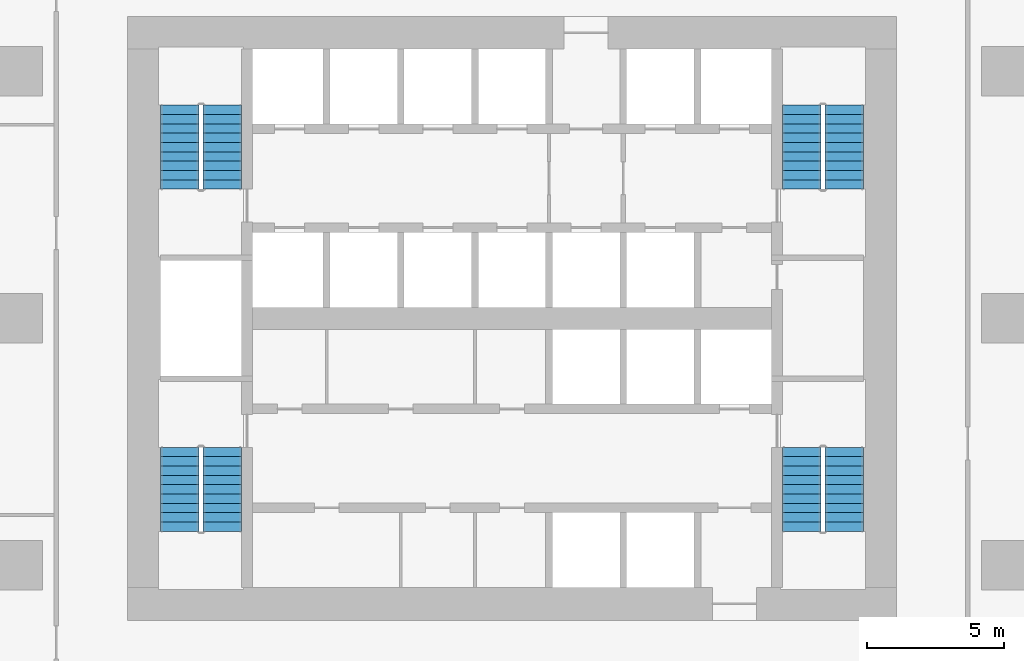
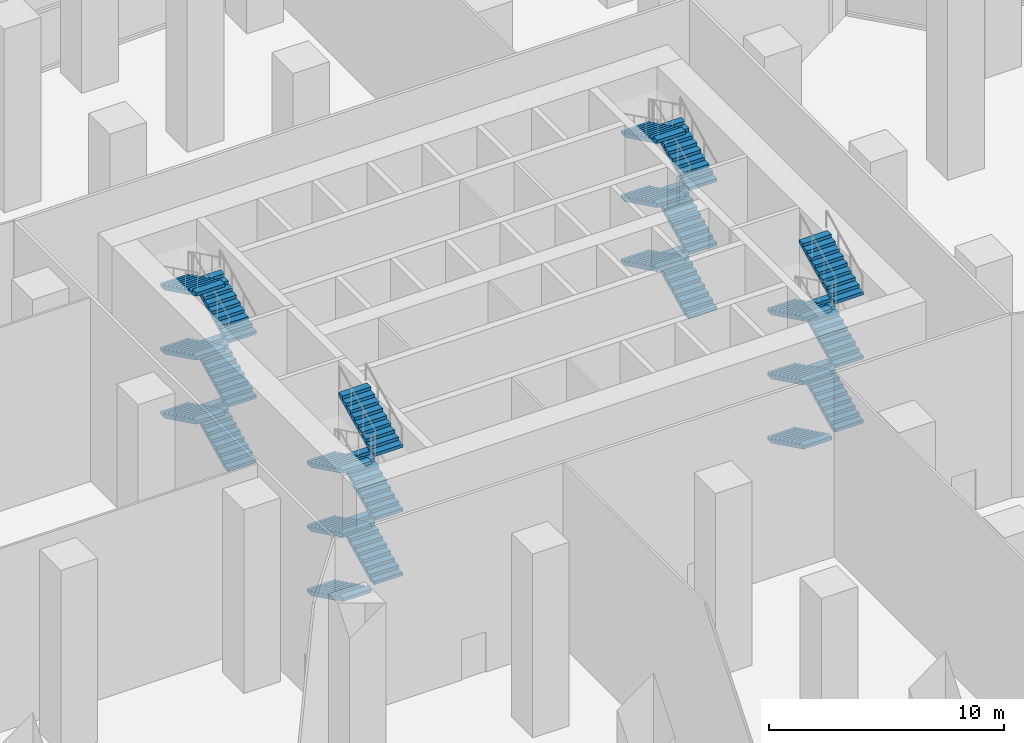
# One storey, part 19 of 21: 24 stair flights, 4 elements without a shape of their own.
"""IFC4 building model written with IfcOpenShell, lengths in metres."""

from ifc_helpers import new_model, si_unit, direction, frame, origin, place, context, subcontext, project, spatial, polyline, outline, extrude, material, layer, layer_set, type_object, element, aggregate, save


model = new_model("IFC4")

# Units and contexts
model_context = context("Model", 3, precision=1e-05, world=origin(), true_north=direction((0.0, 1.0)))
body_context = subcontext(model_context, "Body", "Model", "MODEL_VIEW")
ifc_project = project(units=[si_unit("LENGTHUNIT", "METRE"), si_unit("AREAUNIT", "SQUARE_METRE"), si_unit("VOLUMEUNIT", "CUBIC_METRE"), si_unit("PLANEANGLEUNIT", "RADIAN"), si_unit("MASSUNIT", "GRAM", prefix="KILO")], contexts=[model_context])

# Site, building, storey
site_placement = place(None, origin())
site = spatial("IfcSite", under=ifc_project, at=site_placement, CompositionType="ELEMENT")
building_placement = place(site_placement, origin())
building = spatial("IfcBuilding", under=site, at=building_placement, Name="Dongbaek Canopy Tower", CompositionType="ELEMENT")
storey_placement = place(building_placement, frame((0.0, 0.0, 9.0)))
storey = spatial("IfcBuildingStorey", under=building, at=storey_placement, Name="L01", CompositionType="ELEMENT", Elevation=9.0)

# Stair, stair flights
ifc_material_1 = material(Name="Concrete C40/50", Category="concrete")
stair_type = type_object("IfcStairType", Name="Core exit stair", PredefinedType="HALF_TURN_STAIR", material=ifc_material_1)
stair_1_placement = place(storey_placement, origin())
stair_1 = element("IfcStair", 1, at=stair_1_placement, inside=storey, type_object=stair_type, Name="L01 exit stair A", PredefinedType="HALF_TURN_STAIR")
ifc_material_2 = material(Name="Concrete C40/50", Category="concrete")
ifc_layer = layer(ifc_material_2, 0.14990234375)
ifc_layer_set = layer_set([ifc_layer], Name="Core stair flight 150 waist")
stair_flight_type = type_object("IfcStairFlightType", Name="Core stair flight 150 waist", PredefinedType="STRAIGHT", material=ifc_layer_set)
stair_flight_1_placement = place(storey_placement, frame((12.10009765625, 4.699951171875, 0.0), z_axis=(0.0, 0.0, 1.0), x_axis=(0.0, 1.0, 0.0)))
stair_flight_1 = element("IfcStairFlight", 2, at=stair_flight_1_placement, type_object=stair_flight_type, Name="ST-A flight 1", NumberOfRisers=10, NumberOfTreads=9, PredefinedType="STRAIGHT", RiserHeight=0.166666667, TreadLength=0.34, context=body_context, shape_type="SweptSolid", body=[
    extrude(outline(polyline([(0.0, 0.0), (0.0, 0.166748046875), (0.340087890625, 0.166748046875), (0.340087890625, 0.333251953125), (0.679931640625, 0.333251953125), (0.679931640625, 0.5), (1.02001953125, 0.5), (1.02001953125, 0.666748046875), (1.360107421875, 0.666748046875), (1.360107421875, 0.833251953125), (1.699951171875, 0.833251953125), (1.699951171875, 1.0), (2.0400390625, 1.0), (2.0400390625, 1.166748046875), (2.3798828125, 1.166748046875), (2.3798828125, 1.333251953125), (2.719970703125, 1.333251953125), (2.719970703125, 1.5), (3.06005859375, 1.5), (3.06005859375, 1.666748046875), (3.06005859375, 1.3330078125), (0.340576171875, 0.0), (0.0, 0.0)])), frame((0.0, 0.699951171875, 0.0), z_axis=(0.0, -1.0, 0.0), x_axis=(1.0, 0.0, 0.0)), (0.0, 0.0, 1.0), 1.39990234375),
])
stair_flight_2_placement = place(storey_placement, frame((10.550048828125, 7.760009765625, 1.666748046875), z_axis=(0.0, 0.0, 1.0), x_axis=(0.0, -1.0, 0.0)))
stair_flight_2 = element("IfcStairFlight", 3, at=stair_flight_2_placement, type_object=stair_flight_type, Name="ST-A flight 2", NumberOfRisers=10, NumberOfTreads=9, PredefinedType="STRAIGHT", RiserHeight=0.166666667, TreadLength=0.34, context=body_context, shape_type="SweptSolid", body=[
    extrude(outline(polyline([(0.0, 0.0), (0.0, 0.166748046875), (0.340087890625, 0.166748046875), (0.340087890625, 0.333251953125), (0.679931640625, 0.333251953125), (0.679931640625, 0.5), (1.02001953125, 0.5), (1.02001953125, 0.666748046875), (1.360107421875, 0.666748046875), (1.360107421875, 0.833251953125), (1.699951171875, 0.833251953125), (1.699951171875, 1.0), (2.0400390625, 1.0), (2.0400390625, 1.166748046875), (2.3798828125, 1.166748046875), (2.3798828125, 1.333251953125), (2.719970703125, 1.333251953125), (2.719970703125, 1.5), (3.06005859375, 1.5), (3.06005859375, 1.666748046875), (3.06005859375, 1.3330078125), (0.340576171875, 0.0), (0.0, 0.0)])), frame((0.0, 0.699951171875, 0.0), z_axis=(0.0, -1.0, 0.0), x_axis=(1.0, 0.0, 0.0)), (0.0, 0.0, 1.0), 1.39990234375),
])
stair_flight_3_placement = place(storey_placement, frame((12.10009765625, 4.699951171875, 3.333251953125), z_axis=(0.0, 0.0, 1.0), x_axis=(0.0, 1.0, 0.0)))
stair_flight_3 = element("IfcStairFlight", 4, at=stair_flight_3_placement, type_object=stair_flight_type, Name="ST-A flight 3", NumberOfRisers=10, NumberOfTreads=9, PredefinedType="STRAIGHT", RiserHeight=0.166666667, TreadLength=0.34, context=body_context, shape_type="SweptSolid", body=[
    extrude(outline(polyline([(0.0, 0.0), (0.0, 0.166748046875), (0.340087890625, 0.166748046875), (0.340087890625, 0.333251953125), (0.679931640625, 0.333251953125), (0.679931640625, 0.5), (1.02001953125, 0.5), (1.02001953125, 0.666748046875), (1.360107421875, 0.666748046875), (1.360107421875, 0.833251953125), (1.699951171875, 0.833251953125), (1.699951171875, 1.0), (2.0400390625, 1.0), (2.0400390625, 1.166748046875), (2.3798828125, 1.166748046875), (2.3798828125, 1.333251953125), (2.719970703125, 1.333251953125), (2.719970703125, 1.5), (3.06005859375, 1.5), (3.06005859375, 1.666748046875), (3.06005859375, 1.3330078125), (0.340576171875, 0.0), (0.0, 0.0)])), frame((0.0, 0.699951171875, 0.0), z_axis=(0.0, -1.0, 0.0), x_axis=(1.0, 0.0, 0.0)), (0.0, 0.0, 1.0), 1.39990234375),
])
stair_flight_4_placement = place(storey_placement, frame((10.550048828125, 7.760009765625, 5.0), z_axis=(0.0, 0.0, 1.0), x_axis=(0.0, -1.0, 0.0)))
stair_flight_4 = element("IfcStairFlight", 5, at=stair_flight_4_placement, type_object=stair_flight_type, Name="ST-A flight 4", NumberOfRisers=10, NumberOfTreads=9, PredefinedType="STRAIGHT", RiserHeight=0.166666667, TreadLength=0.34, context=body_context, shape_type="SweptSolid", body=[
    extrude(outline(polyline([(0.0, 0.0), (0.0, 0.166748046875), (0.340087890625, 0.166748046875), (0.340087890625, 0.333251953125), (0.679931640625, 0.333251953125), (0.679931640625, 0.5), (1.02001953125, 0.5), (1.02001953125, 0.666748046875), (1.360107421875, 0.666748046875), (1.360107421875, 0.833251953125), (1.699951171875, 0.833251953125), (1.699951171875, 1.0), (2.0400390625, 1.0), (2.0400390625, 1.166748046875), (2.3798828125, 1.166748046875), (2.3798828125, 1.333251953125), (2.719970703125, 1.333251953125), (2.719970703125, 1.5), (3.06005859375, 1.5), (3.06005859375, 1.666748046875), (3.06005859375, 1.3330078125), (0.340576171875, 0.0), (0.0, 0.0)])), frame((0.0, 0.699951171875, 0.0), z_axis=(0.0, -1.0, 0.0), x_axis=(1.0, 0.0, 0.0)), (0.0, 0.0, 1.0), 1.39990234375),
])
stair_flight_5_placement = place(storey_placement, frame((12.10009765625, 4.699951171875, 6.666748046875), z_axis=(0.0, 0.0, 1.0), x_axis=(0.0, 1.0, 0.0)))
stair_flight_5 = element("IfcStairFlight", 6, at=stair_flight_5_placement, type_object=stair_flight_type, Name="ST-A flight 5", NumberOfRisers=10, NumberOfTreads=9, PredefinedType="STRAIGHT", RiserHeight=0.166666667, TreadLength=0.34, context=body_context, shape_type="SweptSolid", body=[
    extrude(outline(polyline([(0.0, 0.0), (0.0, 0.166748046875), (0.340087890625, 0.166748046875), (0.340087890625, 0.333251953125), (0.679931640625, 0.333251953125), (0.679931640625, 0.5), (1.02001953125, 0.5), (1.02001953125, 0.666748046875), (1.360107421875, 0.666748046875), (1.360107421875, 0.833251953125), (1.699951171875, 0.833251953125), (1.699951171875, 1.0), (2.0400390625, 1.0), (2.0400390625, 1.166748046875), (2.3798828125, 1.166748046875), (2.3798828125, 1.333251953125), (2.719970703125, 1.333251953125), (2.719970703125, 1.5), (3.06005859375, 1.5), (3.06005859375, 1.666748046875), (3.06005859375, 1.3330078125), (0.340576171875, 0.0), (0.0, 0.0)])), frame((0.0, 0.699951171875, 0.0), z_axis=(0.0, -1.0, 0.0), x_axis=(1.0, 0.0, 0.0)), (0.0, 0.0, 1.0), 1.39990234375),
])
stair_flight_6_placement = place(storey_placement, frame((10.550048828125, 7.760009765625, 8.333251953125), z_axis=(0.0, 0.0, 1.0), x_axis=(0.0, -1.0, 0.0)))
stair_flight_6 = element("IfcStairFlight", 7, at=stair_flight_6_placement, type_object=stair_flight_type, Name="ST-A flight 6", NumberOfRisers=10, NumberOfTreads=9, PredefinedType="STRAIGHT", RiserHeight=0.166666667, TreadLength=0.34, context=body_context, shape_type="SweptSolid", body=[
    extrude(outline(polyline([(0.0, 0.0), (0.0, 0.166748046875), (0.340087890625, 0.166748046875), (0.340087890625, 0.333251953125), (0.679931640625, 0.333251953125), (0.679931640625, 0.5), (1.02001953125, 0.5), (1.02001953125, 0.666748046875), (1.360107421875, 0.666748046875), (1.360107421875, 0.833251953125), (1.699951171875, 0.833251953125), (1.699951171875, 1.0), (2.0400390625, 1.0), (2.0400390625, 1.166748046875), (2.3798828125, 1.166748046875), (2.3798828125, 1.333251953125), (2.719970703125, 1.333251953125), (2.719970703125, 1.5), (3.06005859375, 1.5), (3.06005859375, 1.666748046875), (3.06005859375, 1.3330078125), (0.340576171875, 0.0), (0.0, 0.0)])), frame((0.0, 0.699951171875, 0.0), z_axis=(0.0, -1.0, 0.0), x_axis=(1.0, 0.0, 0.0)), (0.0, 0.0, 1.0), 1.39990234375),
])
aggregate(stair_1, [stair_flight_1, stair_flight_2, stair_flight_3, stair_flight_4, stair_flight_5, stair_flight_6])

stair_2_placement = place(storey_placement, origin())
stair_2 = element("IfcStair", 8, at=stair_2_placement, inside=storey, type_object=stair_type, Name="L01 exit stair C", PredefinedType="HALF_TURN_STAIR")
stair_flight_7_placement = place(storey_placement, frame((-10.550048828125, 4.699951171875, 0.0), z_axis=(0.0, 0.0, 1.0), x_axis=(0.0, 1.0, 0.0)))
stair_flight_7 = element("IfcStairFlight", 9, at=stair_flight_7_placement, type_object=stair_flight_type, Name="ST-C flight 1", NumberOfRisers=10, NumberOfTreads=9, PredefinedType="STRAIGHT", RiserHeight=0.166666667, TreadLength=0.34, context=body_context, shape_type="SweptSolid", body=[
    extrude(outline(polyline([(0.0, 0.0), (0.0, 0.166748046875), (0.340087890625, 0.166748046875), (0.340087890625, 0.333251953125), (0.679931640625, 0.333251953125), (0.679931640625, 0.5), (1.02001953125, 0.5), (1.02001953125, 0.666748046875), (1.360107421875, 0.666748046875), (1.360107421875, 0.833251953125), (1.699951171875, 0.833251953125), (1.699951171875, 1.0), (2.0400390625, 1.0), (2.0400390625, 1.166748046875), (2.3798828125, 1.166748046875), (2.3798828125, 1.333251953125), (2.719970703125, 1.333251953125), (2.719970703125, 1.5), (3.06005859375, 1.5), (3.06005859375, 1.666748046875), (3.06005859375, 1.3330078125), (0.340576171875, 0.0), (0.0, 0.0)])), frame((0.0, 0.699951171875, 0.0), z_axis=(0.0, -1.0, 0.0), x_axis=(1.0, 0.0, 0.0)), (0.0, 0.0, 1.0), 1.39990234375),
])
stair_flight_8_placement = place(storey_placement, frame((-12.10009765625, 7.760009765625, 1.666748046875), z_axis=(0.0, 0.0, 1.0), x_axis=(0.0, -1.0, 0.0)))
stair_flight_8 = element("IfcStairFlight", 10, at=stair_flight_8_placement, type_object=stair_flight_type, Name="ST-C flight 2", NumberOfRisers=10, NumberOfTreads=9, PredefinedType="STRAIGHT", RiserHeight=0.166666667, TreadLength=0.34, context=body_context, shape_type="SweptSolid", body=[
    extrude(outline(polyline([(0.0, 0.0), (0.0, 0.166748046875), (0.340087890625, 0.166748046875), (0.340087890625, 0.333251953125), (0.679931640625, 0.333251953125), (0.679931640625, 0.5), (1.02001953125, 0.5), (1.02001953125, 0.666748046875), (1.360107421875, 0.666748046875), (1.360107421875, 0.833251953125), (1.699951171875, 0.833251953125), (1.699951171875, 1.0), (2.0400390625, 1.0), (2.0400390625, 1.166748046875), (2.3798828125, 1.166748046875), (2.3798828125, 1.333251953125), (2.719970703125, 1.333251953125), (2.719970703125, 1.5), (3.06005859375, 1.5), (3.06005859375, 1.666748046875), (3.06005859375, 1.3330078125), (0.340576171875, 0.0), (0.0, 0.0)])), frame((0.0, 0.699951171875, 0.0), z_axis=(0.0, -1.0, 0.0), x_axis=(1.0, 0.0, 0.0)), (0.0, 0.0, 1.0), 1.39990234375),
])
stair_flight_9_placement = place(storey_placement, frame((-10.550048828125, 4.699951171875, 3.333251953125), z_axis=(0.0, 0.0, 1.0), x_axis=(0.0, 1.0, 0.0)))
stair_flight_9 = element("IfcStairFlight", 11, at=stair_flight_9_placement, type_object=stair_flight_type, Name="ST-C flight 3", NumberOfRisers=10, NumberOfTreads=9, PredefinedType="STRAIGHT", RiserHeight=0.166666667, TreadLength=0.34, context=body_context, shape_type="SweptSolid", body=[
    extrude(outline(polyline([(0.0, 0.0), (0.0, 0.166748046875), (0.340087890625, 0.166748046875), (0.340087890625, 0.333251953125), (0.679931640625, 0.333251953125), (0.679931640625, 0.5), (1.02001953125, 0.5), (1.02001953125, 0.666748046875), (1.360107421875, 0.666748046875), (1.360107421875, 0.833251953125), (1.699951171875, 0.833251953125), (1.699951171875, 1.0), (2.0400390625, 1.0), (2.0400390625, 1.166748046875), (2.3798828125, 1.166748046875), (2.3798828125, 1.333251953125), (2.719970703125, 1.333251953125), (2.719970703125, 1.5), (3.06005859375, 1.5), (3.06005859375, 1.666748046875), (3.06005859375, 1.3330078125), (0.340576171875, 0.0), (0.0, 0.0)])), frame((0.0, 0.699951171875, 0.0), z_axis=(0.0, -1.0, 0.0), x_axis=(1.0, 0.0, 0.0)), (0.0, 0.0, 1.0), 1.39990234375),
])
stair_flight_10_placement = place(storey_placement, frame((-12.10009765625, 7.760009765625, 5.0), z_axis=(0.0, 0.0, 1.0), x_axis=(0.0, -1.0, 0.0)))
stair_flight_10 = element("IfcStairFlight", 12, at=stair_flight_10_placement, type_object=stair_flight_type, Name="ST-C flight 4", NumberOfRisers=10, NumberOfTreads=9, PredefinedType="STRAIGHT", RiserHeight=0.166666667, TreadLength=0.34, context=body_context, shape_type="SweptSolid", body=[
    extrude(outline(polyline([(0.0, 0.0), (0.0, 0.166748046875), (0.340087890625, 0.166748046875), (0.340087890625, 0.333251953125), (0.679931640625, 0.333251953125), (0.679931640625, 0.5), (1.02001953125, 0.5), (1.02001953125, 0.666748046875), (1.360107421875, 0.666748046875), (1.360107421875, 0.833251953125), (1.699951171875, 0.833251953125), (1.699951171875, 1.0), (2.0400390625, 1.0), (2.0400390625, 1.166748046875), (2.3798828125, 1.166748046875), (2.3798828125, 1.333251953125), (2.719970703125, 1.333251953125), (2.719970703125, 1.5), (3.06005859375, 1.5), (3.06005859375, 1.666748046875), (3.06005859375, 1.3330078125), (0.340576171875, 0.0), (0.0, 0.0)])), frame((0.0, 0.699951171875, 0.0), z_axis=(0.0, -1.0, 0.0), x_axis=(1.0, 0.0, 0.0)), (0.0, 0.0, 1.0), 1.39990234375),
])
stair_flight_11_placement = place(storey_placement, frame((-10.550048828125, 4.699951171875, 6.666748046875), z_axis=(0.0, 0.0, 1.0), x_axis=(0.0, 1.0, 0.0)))
stair_flight_11 = element("IfcStairFlight", 13, at=stair_flight_11_placement, type_object=stair_flight_type, Name="ST-C flight 5", NumberOfRisers=10, NumberOfTreads=9, PredefinedType="STRAIGHT", RiserHeight=0.166666667, TreadLength=0.34, context=body_context, shape_type="SweptSolid", body=[
    extrude(outline(polyline([(0.0, 0.0), (0.0, 0.166748046875), (0.340087890625, 0.166748046875), (0.340087890625, 0.333251953125), (0.679931640625, 0.333251953125), (0.679931640625, 0.5), (1.02001953125, 0.5), (1.02001953125, 0.666748046875), (1.360107421875, 0.666748046875), (1.360107421875, 0.833251953125), (1.699951171875, 0.833251953125), (1.699951171875, 1.0), (2.0400390625, 1.0), (2.0400390625, 1.166748046875), (2.3798828125, 1.166748046875), (2.3798828125, 1.333251953125), (2.719970703125, 1.333251953125), (2.719970703125, 1.5), (3.06005859375, 1.5), (3.06005859375, 1.666748046875), (3.06005859375, 1.3330078125), (0.340576171875, 0.0), (0.0, 0.0)])), frame((0.0, 0.699951171875, 0.0), z_axis=(0.0, -1.0, 0.0), x_axis=(1.0, 0.0, 0.0)), (0.0, 0.0, 1.0), 1.39990234375),
])
stair_flight_12_placement = place(storey_placement, frame((-12.10009765625, 7.760009765625, 8.333251953125), z_axis=(0.0, 0.0, 1.0), x_axis=(0.0, -1.0, 0.0)))
stair_flight_12 = element("IfcStairFlight", 14, at=stair_flight_12_placement, type_object=stair_flight_type, Name="ST-C flight 6", NumberOfRisers=10, NumberOfTreads=9, PredefinedType="STRAIGHT", RiserHeight=0.166666667, TreadLength=0.34, context=body_context, shape_type="SweptSolid", body=[
    extrude(outline(polyline([(0.0, 0.0), (0.0, 0.166748046875), (0.340087890625, 0.166748046875), (0.340087890625, 0.333251953125), (0.679931640625, 0.333251953125), (0.679931640625, 0.5), (1.02001953125, 0.5), (1.02001953125, 0.666748046875), (1.360107421875, 0.666748046875), (1.360107421875, 0.833251953125), (1.699951171875, 0.833251953125), (1.699951171875, 1.0), (2.0400390625, 1.0), (2.0400390625, 1.166748046875), (2.3798828125, 1.166748046875), (2.3798828125, 1.333251953125), (2.719970703125, 1.333251953125), (2.719970703125, 1.5), (3.06005859375, 1.5), (3.06005859375, 1.666748046875), (3.06005859375, 1.3330078125), (0.340576171875, 0.0), (0.0, 0.0)])), frame((0.0, 0.699951171875, 0.0), z_axis=(0.0, -1.0, 0.0), x_axis=(1.0, 0.0, 0.0)), (0.0, 0.0, 1.0), 1.39990234375),
])
aggregate(stair_2, [stair_flight_7, stair_flight_8, stair_flight_9, stair_flight_10, stair_flight_11, stair_flight_12])

stair_3_placement = place(storey_placement, origin())
stair_3 = element("IfcStair", 15, at=stair_3_placement, inside=storey, type_object=stair_type, Name="L01 exit stair B", PredefinedType="HALF_TURN_STAIR")
stair_flight_13_placement = place(storey_placement, frame((10.550048828125, -4.699951171875, 0.0), z_axis=(0.0, 0.0, 1.0), x_axis=(0.0, -1.0, 0.0)))
stair_flight_13 = element("IfcStairFlight", 16, at=stair_flight_13_placement, type_object=stair_flight_type, Name="ST-B flight 1", NumberOfRisers=10, NumberOfTreads=9, PredefinedType="STRAIGHT", RiserHeight=0.166666667, TreadLength=0.34, context=body_context, shape_type="SweptSolid", body=[
    extrude(outline(polyline([(0.0, 0.0), (0.0, 0.166748046875), (0.340087890625, 0.166748046875), (0.340087890625, 0.333251953125), (0.679931640625, 0.333251953125), (0.679931640625, 0.5), (1.02001953125, 0.5), (1.02001953125, 0.666748046875), (1.360107421875, 0.666748046875), (1.360107421875, 0.833251953125), (1.699951171875, 0.833251953125), (1.699951171875, 1.0), (2.0400390625, 1.0), (2.0400390625, 1.166748046875), (2.3798828125, 1.166748046875), (2.3798828125, 1.333251953125), (2.719970703125, 1.333251953125), (2.719970703125, 1.5), (3.06005859375, 1.5), (3.06005859375, 1.666748046875), (3.06005859375, 1.3330078125), (0.340576171875, 0.0), (0.0, 0.0)])), frame((0.0, 0.699951171875, 0.0), z_axis=(0.0, -1.0, 0.0), x_axis=(1.0, 0.0, 0.0)), (0.0, 0.0, 1.0), 1.39990234375),
])
stair_flight_14_placement = place(storey_placement, frame((12.10009765625, -7.760009765625, 1.666748046875), z_axis=(0.0, 0.0, 1.0), x_axis=(0.0, 1.0, 0.0)))
stair_flight_14 = element("IfcStairFlight", 17, at=stair_flight_14_placement, type_object=stair_flight_type, Name="ST-B flight 2", NumberOfRisers=10, NumberOfTreads=9, PredefinedType="STRAIGHT", RiserHeight=0.166666667, TreadLength=0.34, context=body_context, shape_type="SweptSolid", body=[
    extrude(outline(polyline([(0.0, 0.0), (0.0, 0.166748046875), (0.340087890625, 0.166748046875), (0.340087890625, 0.333251953125), (0.679931640625, 0.333251953125), (0.679931640625, 0.5), (1.02001953125, 0.5), (1.02001953125, 0.666748046875), (1.360107421875, 0.666748046875), (1.360107421875, 0.833251953125), (1.699951171875, 0.833251953125), (1.699951171875, 1.0), (2.0400390625, 1.0), (2.0400390625, 1.166748046875), (2.3798828125, 1.166748046875), (2.3798828125, 1.333251953125), (2.719970703125, 1.333251953125), (2.719970703125, 1.5), (3.06005859375, 1.5), (3.06005859375, 1.666748046875), (3.06005859375, 1.3330078125), (0.340576171875, 0.0), (0.0, 0.0)])), frame((0.0, 0.699951171875, 0.0), z_axis=(0.0, -1.0, 0.0), x_axis=(1.0, 0.0, 0.0)), (0.0, 0.0, 1.0), 1.39990234375),
])
stair_flight_15_placement = place(storey_placement, frame((10.550048828125, -4.699951171875, 3.333251953125), z_axis=(0.0, 0.0, 1.0), x_axis=(0.0, -1.0, 0.0)))
stair_flight_15 = element("IfcStairFlight", 18, at=stair_flight_15_placement, type_object=stair_flight_type, Name="ST-B flight 3", NumberOfRisers=10, NumberOfTreads=9, PredefinedType="STRAIGHT", RiserHeight=0.166666667, TreadLength=0.34, context=body_context, shape_type="SweptSolid", body=[
    extrude(outline(polyline([(0.0, 0.0), (0.0, 0.166748046875), (0.340087890625, 0.166748046875), (0.340087890625, 0.333251953125), (0.679931640625, 0.333251953125), (0.679931640625, 0.5), (1.02001953125, 0.5), (1.02001953125, 0.666748046875), (1.360107421875, 0.666748046875), (1.360107421875, 0.833251953125), (1.699951171875, 0.833251953125), (1.699951171875, 1.0), (2.0400390625, 1.0), (2.0400390625, 1.166748046875), (2.3798828125, 1.166748046875), (2.3798828125, 1.333251953125), (2.719970703125, 1.333251953125), (2.719970703125, 1.5), (3.06005859375, 1.5), (3.06005859375, 1.666748046875), (3.06005859375, 1.3330078125), (0.340576171875, 0.0), (0.0, 0.0)])), frame((0.0, 0.699951171875, 0.0), z_axis=(0.0, -1.0, 0.0), x_axis=(1.0, 0.0, 0.0)), (0.0, 0.0, 1.0), 1.39990234375),
])
stair_flight_16_placement = place(storey_placement, frame((12.10009765625, -7.760009765625, 5.0), z_axis=(0.0, 0.0, 1.0), x_axis=(0.0, 1.0, 0.0)))
stair_flight_16 = element("IfcStairFlight", 19, at=stair_flight_16_placement, type_object=stair_flight_type, Name="ST-B flight 4", NumberOfRisers=10, NumberOfTreads=9, PredefinedType="STRAIGHT", RiserHeight=0.166666667, TreadLength=0.34, context=body_context, shape_type="SweptSolid", body=[
    extrude(outline(polyline([(0.0, 0.0), (0.0, 0.166748046875), (0.340087890625, 0.166748046875), (0.340087890625, 0.333251953125), (0.679931640625, 0.333251953125), (0.679931640625, 0.5), (1.02001953125, 0.5), (1.02001953125, 0.666748046875), (1.360107421875, 0.666748046875), (1.360107421875, 0.833251953125), (1.699951171875, 0.833251953125), (1.699951171875, 1.0), (2.0400390625, 1.0), (2.0400390625, 1.166748046875), (2.3798828125, 1.166748046875), (2.3798828125, 1.333251953125), (2.719970703125, 1.333251953125), (2.719970703125, 1.5), (3.06005859375, 1.5), (3.06005859375, 1.666748046875), (3.06005859375, 1.3330078125), (0.340576171875, 0.0), (0.0, 0.0)])), frame((0.0, 0.699951171875, 0.0), z_axis=(0.0, -1.0, 0.0), x_axis=(1.0, 0.0, 0.0)), (0.0, 0.0, 1.0), 1.39990234375),
])
stair_flight_17_placement = place(storey_placement, frame((10.550048828125, -4.699951171875, 6.666748046875), z_axis=(0.0, 0.0, 1.0), x_axis=(0.0, -1.0, 0.0)))
stair_flight_17 = element("IfcStairFlight", 20, at=stair_flight_17_placement, type_object=stair_flight_type, Name="ST-B flight 5", NumberOfRisers=10, NumberOfTreads=9, PredefinedType="STRAIGHT", RiserHeight=0.166666667, TreadLength=0.34, context=body_context, shape_type="SweptSolid", body=[
    extrude(outline(polyline([(0.0, 0.0), (0.0, 0.166748046875), (0.340087890625, 0.166748046875), (0.340087890625, 0.333251953125), (0.679931640625, 0.333251953125), (0.679931640625, 0.5), (1.02001953125, 0.5), (1.02001953125, 0.666748046875), (1.360107421875, 0.666748046875), (1.360107421875, 0.833251953125), (1.699951171875, 0.833251953125), (1.699951171875, 1.0), (2.0400390625, 1.0), (2.0400390625, 1.166748046875), (2.3798828125, 1.166748046875), (2.3798828125, 1.333251953125), (2.719970703125, 1.333251953125), (2.719970703125, 1.5), (3.06005859375, 1.5), (3.06005859375, 1.666748046875), (3.06005859375, 1.3330078125), (0.340576171875, 0.0), (0.0, 0.0)])), frame((0.0, 0.699951171875, 0.0), z_axis=(0.0, -1.0, 0.0), x_axis=(1.0, 0.0, 0.0)), (0.0, 0.0, 1.0), 1.39990234375),
])
stair_flight_18_placement = place(storey_placement, frame((12.10009765625, -7.760009765625, 8.333251953125), z_axis=(0.0, 0.0, 1.0), x_axis=(0.0, 1.0, 0.0)))
stair_flight_18 = element("IfcStairFlight", 21, at=stair_flight_18_placement, type_object=stair_flight_type, Name="ST-B flight 6", NumberOfRisers=10, NumberOfTreads=9, PredefinedType="STRAIGHT", RiserHeight=0.166666667, TreadLength=0.34, context=body_context, shape_type="SweptSolid", body=[
    extrude(outline(polyline([(0.0, 0.0), (0.0, 0.166748046875), (0.340087890625, 0.166748046875), (0.340087890625, 0.333251953125), (0.679931640625, 0.333251953125), (0.679931640625, 0.5), (1.02001953125, 0.5), (1.02001953125, 0.666748046875), (1.360107421875, 0.666748046875), (1.360107421875, 0.833251953125), (1.699951171875, 0.833251953125), (1.699951171875, 1.0), (2.0400390625, 1.0), (2.0400390625, 1.166748046875), (2.3798828125, 1.166748046875), (2.3798828125, 1.333251953125), (2.719970703125, 1.333251953125), (2.719970703125, 1.5), (3.06005859375, 1.5), (3.06005859375, 1.666748046875), (3.06005859375, 1.3330078125), (0.340576171875, 0.0), (0.0, 0.0)])), frame((0.0, 0.699951171875, 0.0), z_axis=(0.0, -1.0, 0.0), x_axis=(1.0, 0.0, 0.0)), (0.0, 0.0, 1.0), 1.39990234375),
])
aggregate(stair_3, [stair_flight_13, stair_flight_14, stair_flight_15, stair_flight_16, stair_flight_17, stair_flight_18])

stair_4_placement = place(storey_placement, origin())
stair_4 = element("IfcStair", 22, at=stair_4_placement, inside=storey, type_object=stair_type, Name="L01 exit stair D", PredefinedType="HALF_TURN_STAIR")
stair_flight_19_placement = place(storey_placement, frame((-12.10009765625, -4.699951171875, 0.0), z_axis=(0.0, 0.0, 1.0), x_axis=(0.0, -1.0, 0.0)))
stair_flight_19 = element("IfcStairFlight", 23, at=stair_flight_19_placement, type_object=stair_flight_type, Name="ST-D flight 1", NumberOfRisers=10, NumberOfTreads=9, PredefinedType="STRAIGHT", RiserHeight=0.166666667, TreadLength=0.34, context=body_context, shape_type="SweptSolid", body=[
    extrude(outline(polyline([(0.0, 0.0), (0.0, 0.166748046875), (0.340087890625, 0.166748046875), (0.340087890625, 0.333251953125), (0.679931640625, 0.333251953125), (0.679931640625, 0.5), (1.02001953125, 0.5), (1.02001953125, 0.666748046875), (1.360107421875, 0.666748046875), (1.360107421875, 0.833251953125), (1.699951171875, 0.833251953125), (1.699951171875, 1.0), (2.0400390625, 1.0), (2.0400390625, 1.166748046875), (2.3798828125, 1.166748046875), (2.3798828125, 1.333251953125), (2.719970703125, 1.333251953125), (2.719970703125, 1.5), (3.06005859375, 1.5), (3.06005859375, 1.666748046875), (3.06005859375, 1.3330078125), (0.340576171875, 0.0), (0.0, 0.0)])), frame((0.0, 0.699951171875, 0.0), z_axis=(0.0, -1.0, 0.0), x_axis=(1.0, 0.0, 0.0)), (0.0, 0.0, 1.0), 1.39990234375),
])
stair_flight_20_placement = place(storey_placement, frame((-10.550048828125, -7.760009765625, 1.666748046875), z_axis=(0.0, 0.0, 1.0), x_axis=(0.0, 1.0, 0.0)))
stair_flight_20 = element("IfcStairFlight", 24, at=stair_flight_20_placement, type_object=stair_flight_type, Name="ST-D flight 2", NumberOfRisers=10, NumberOfTreads=9, PredefinedType="STRAIGHT", RiserHeight=0.166666667, TreadLength=0.34, context=body_context, shape_type="SweptSolid", body=[
    extrude(outline(polyline([(0.0, 0.0), (0.0, 0.166748046875), (0.340087890625, 0.166748046875), (0.340087890625, 0.333251953125), (0.679931640625, 0.333251953125), (0.679931640625, 0.5), (1.02001953125, 0.5), (1.02001953125, 0.666748046875), (1.360107421875, 0.666748046875), (1.360107421875, 0.833251953125), (1.699951171875, 0.833251953125), (1.699951171875, 1.0), (2.0400390625, 1.0), (2.0400390625, 1.166748046875), (2.3798828125, 1.166748046875), (2.3798828125, 1.333251953125), (2.719970703125, 1.333251953125), (2.719970703125, 1.5), (3.06005859375, 1.5), (3.06005859375, 1.666748046875), (3.06005859375, 1.3330078125), (0.340576171875, 0.0), (0.0, 0.0)])), frame((0.0, 0.699951171875, 0.0), z_axis=(0.0, -1.0, 0.0), x_axis=(1.0, 0.0, 0.0)), (0.0, 0.0, 1.0), 1.39990234375),
])
stair_flight_21_placement = place(storey_placement, frame((-12.10009765625, -4.699951171875, 3.333251953125), z_axis=(0.0, 0.0, 1.0), x_axis=(0.0, -1.0, 0.0)))
stair_flight_21 = element("IfcStairFlight", 25, at=stair_flight_21_placement, type_object=stair_flight_type, Name="ST-D flight 3", NumberOfRisers=10, NumberOfTreads=9, PredefinedType="STRAIGHT", RiserHeight=0.166666667, TreadLength=0.34, context=body_context, shape_type="SweptSolid", body=[
    extrude(outline(polyline([(0.0, 0.0), (0.0, 0.166748046875), (0.340087890625, 0.166748046875), (0.340087890625, 0.333251953125), (0.679931640625, 0.333251953125), (0.679931640625, 0.5), (1.02001953125, 0.5), (1.02001953125, 0.666748046875), (1.360107421875, 0.666748046875), (1.360107421875, 0.833251953125), (1.699951171875, 0.833251953125), (1.699951171875, 1.0), (2.0400390625, 1.0), (2.0400390625, 1.166748046875), (2.3798828125, 1.166748046875), (2.3798828125, 1.333251953125), (2.719970703125, 1.333251953125), (2.719970703125, 1.5), (3.06005859375, 1.5), (3.06005859375, 1.666748046875), (3.06005859375, 1.3330078125), (0.340576171875, 0.0), (0.0, 0.0)])), frame((0.0, 0.699951171875, 0.0), z_axis=(0.0, -1.0, 0.0), x_axis=(1.0, 0.0, 0.0)), (0.0, 0.0, 1.0), 1.39990234375),
])
stair_flight_22_placement = place(storey_placement, frame((-10.550048828125, -7.760009765625, 5.0), z_axis=(0.0, 0.0, 1.0), x_axis=(0.0, 1.0, 0.0)))
stair_flight_22 = element("IfcStairFlight", 26, at=stair_flight_22_placement, type_object=stair_flight_type, Name="ST-D flight 4", NumberOfRisers=10, NumberOfTreads=9, PredefinedType="STRAIGHT", RiserHeight=0.166666667, TreadLength=0.34, context=body_context, shape_type="SweptSolid", body=[
    extrude(outline(polyline([(0.0, 0.0), (0.0, 0.166748046875), (0.340087890625, 0.166748046875), (0.340087890625, 0.333251953125), (0.679931640625, 0.333251953125), (0.679931640625, 0.5), (1.02001953125, 0.5), (1.02001953125, 0.666748046875), (1.360107421875, 0.666748046875), (1.360107421875, 0.833251953125), (1.699951171875, 0.833251953125), (1.699951171875, 1.0), (2.0400390625, 1.0), (2.0400390625, 1.166748046875), (2.3798828125, 1.166748046875), (2.3798828125, 1.333251953125), (2.719970703125, 1.333251953125), (2.719970703125, 1.5), (3.06005859375, 1.5), (3.06005859375, 1.666748046875), (3.06005859375, 1.3330078125), (0.340576171875, 0.0), (0.0, 0.0)])), frame((0.0, 0.699951171875, 0.0), z_axis=(0.0, -1.0, 0.0), x_axis=(1.0, 0.0, 0.0)), (0.0, 0.0, 1.0), 1.39990234375),
])
stair_flight_23_placement = place(storey_placement, frame((-12.10009765625, -4.699951171875, 6.666748046875), z_axis=(0.0, 0.0, 1.0), x_axis=(0.0, -1.0, 0.0)))
stair_flight_23 = element("IfcStairFlight", 27, at=stair_flight_23_placement, type_object=stair_flight_type, Name="ST-D flight 5", NumberOfRisers=10, NumberOfTreads=9, PredefinedType="STRAIGHT", RiserHeight=0.166666667, TreadLength=0.34, context=body_context, shape_type="SweptSolid", body=[
    extrude(outline(polyline([(0.0, 0.0), (0.0, 0.166748046875), (0.340087890625, 0.166748046875), (0.340087890625, 0.333251953125), (0.679931640625, 0.333251953125), (0.679931640625, 0.5), (1.02001953125, 0.5), (1.02001953125, 0.666748046875), (1.360107421875, 0.666748046875), (1.360107421875, 0.833251953125), (1.699951171875, 0.833251953125), (1.699951171875, 1.0), (2.0400390625, 1.0), (2.0400390625, 1.166748046875), (2.3798828125, 1.166748046875), (2.3798828125, 1.333251953125), (2.719970703125, 1.333251953125), (2.719970703125, 1.5), (3.06005859375, 1.5), (3.06005859375, 1.666748046875), (3.06005859375, 1.3330078125), (0.340576171875, 0.0), (0.0, 0.0)])), frame((0.0, 0.699951171875, 0.0), z_axis=(0.0, -1.0, 0.0), x_axis=(1.0, 0.0, 0.0)), (0.0, 0.0, 1.0), 1.39990234375),
])
stair_flight_24_placement = place(storey_placement, frame((-10.550048828125, -7.760009765625, 8.333251953125), z_axis=(0.0, 0.0, 1.0), x_axis=(0.0, 1.0, 0.0)))
stair_flight_24 = element("IfcStairFlight", 28, at=stair_flight_24_placement, type_object=stair_flight_type, Name="ST-D flight 6", NumberOfRisers=10, NumberOfTreads=9, PredefinedType="STRAIGHT", RiserHeight=0.166666667, TreadLength=0.34, context=body_context, shape_type="SweptSolid", body=[
    extrude(outline(polyline([(0.0, 0.0), (0.0, 0.166748046875), (0.340087890625, 0.166748046875), (0.340087890625, 0.333251953125), (0.679931640625, 0.333251953125), (0.679931640625, 0.5), (1.02001953125, 0.5), (1.02001953125, 0.666748046875), (1.360107421875, 0.666748046875), (1.360107421875, 0.833251953125), (1.699951171875, 0.833251953125), (1.699951171875, 1.0), (2.0400390625, 1.0), (2.0400390625, 1.166748046875), (2.3798828125, 1.166748046875), (2.3798828125, 1.333251953125), (2.719970703125, 1.333251953125), (2.719970703125, 1.5), (3.06005859375, 1.5), (3.06005859375, 1.666748046875), (3.06005859375, 1.3330078125), (0.340576171875, 0.0), (0.0, 0.0)])), frame((0.0, 0.699951171875, 0.0), z_axis=(0.0, -1.0, 0.0), x_axis=(1.0, 0.0, 0.0)), (0.0, 0.0, 1.0), 1.39990234375),
])
aggregate(stair_4, [stair_flight_19, stair_flight_20, stair_flight_21, stair_flight_22, stair_flight_23, stair_flight_24])

save(model, "model.ifc")
